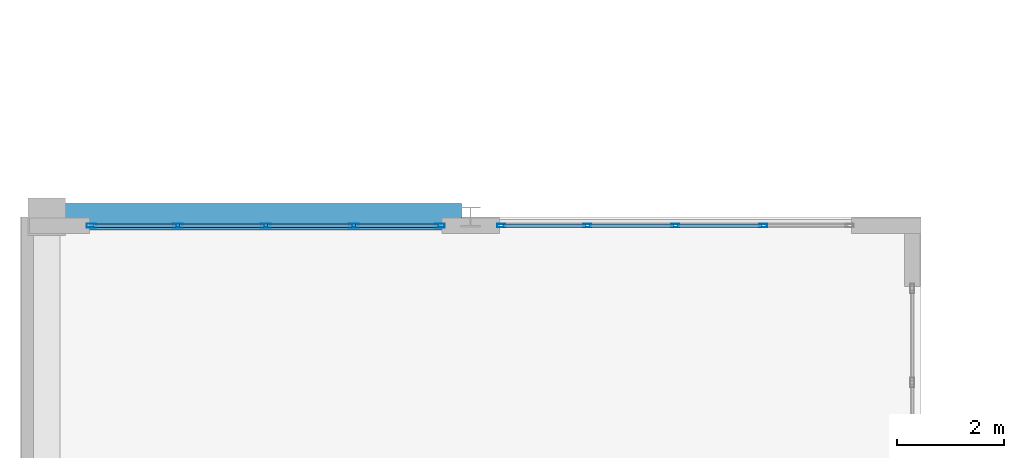
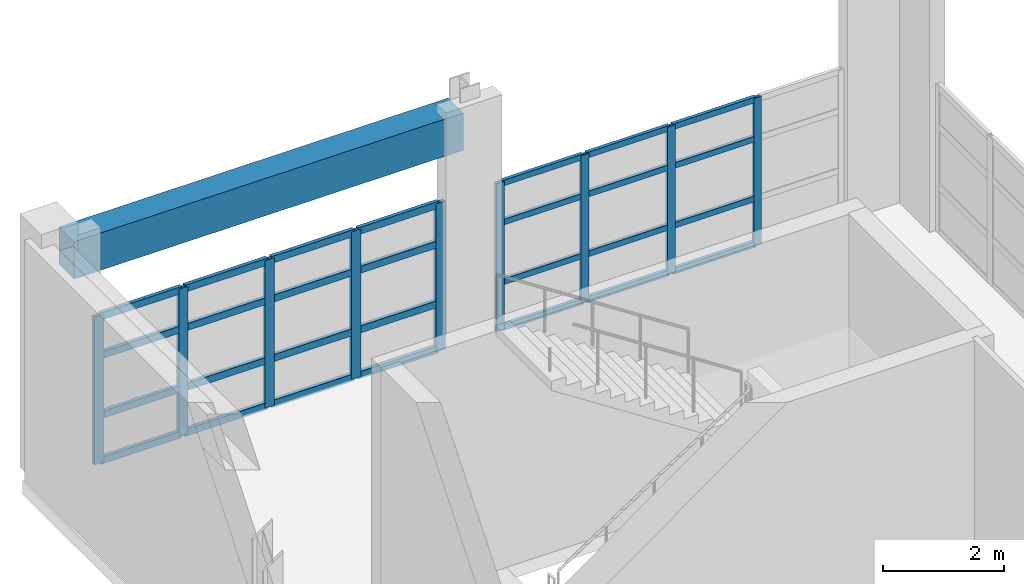
# One storey, part 24 of 103: 37 members, 1 beam, 2 elements without a shape of their own.
"""IFC4 building model written with IfcOpenShell, lengths in metres."""

from ifc_helpers import new_model, si_unit, direction, frame, origin, origin_2d, place, context, subcontext, project, spatial, rectangle, hollow_rectangle, extrude, material, layer, layer_set, material_profile, profile_set, type_object, element, aggregate, save


model = new_model("IFC4")

# Units and contexts
model_context = context("Model", 3, precision=1e-05, world=origin(), true_north=direction((0.0, 1.0)))
body_context = subcontext(model_context, "Body", "Model", "MODEL_VIEW")
ifc_project = project(units=[si_unit("LENGTHUNIT", "METRE"), si_unit("AREAUNIT", "SQUARE_METRE"), si_unit("VOLUMEUNIT", "CUBIC_METRE"), si_unit("PLANEANGLEUNIT", "RADIAN"), si_unit("MASSUNIT", "GRAM", prefix="KILO")], contexts=[model_context])

# Site, building, storey
site_placement = place(None, origin())
site = spatial("IfcSite", under=ifc_project, at=site_placement, CompositionType="ELEMENT")
building_placement = place(site_placement, origin())
building = spatial("IfcBuilding", under=site, at=building_placement, Name="Quendrovan Civic Courthouse", CompositionType="ELEMENT")
storey_placement = place(building_placement, frame((0.0, 0.0, 15.300048828125)))
storey = spatial("IfcBuildingStorey", under=building, at=storey_placement, Name="L04", CompositionType="ELEMENT", Elevation=15.300048828125)

# Beam
ifc_material_1 = material(Name="Concrete C40/50", Category="concrete")
ifc_material_profile_1 = material_profile(ifc_material_1, rectangle(XDim=0.5, YDim=0.75, at=origin_2d()), Name="RC-BM-500x750")
ifc_profile_set_1 = profile_set([ifc_material_profile_1], Name="Concrete C40/50")
beam_type = type_object("IfcBeamType", Name="BM-RC750", PredefinedType="SPANDREL", material=ifc_profile_set_1)
beam_placement = place(storey_placement, frame((0.830078125, 94.800048828125, 4.284912109375), z_axis=(1.0, 0.0, 0.0), x_axis=(0.0, 1.0, 0.0)))
element("IfcBeam", 1, at=beam_placement, inside=storey, type_object=beam_type, Name="L04 Girder X0914", PredefinedType="SPANDREL", context=body_context, shape_type="SweptSolid", body=[
    extrude(rectangle(XDim=0.5, YDim=0.75, at=origin_2d()), origin(), (0.0, 0.0, 1.0), 7.40283203125),
])

# Curtain wall, members
ifc_material_2 = material(Name="Bronze anodised aluminium and low-E glass", Category="aluminium")
ifc_layer = layer(ifc_material_2, 0.179931640625, Name="Bronze anodised aluminium and low-E glass")
ifc_layer_set = layer_set([ifc_layer], Name="Bronze anodised aluminium and low-E glass")
curtain_wall_type = type_object("IfcCurtainWallType", Name="CW-U66x30", PredefinedType="USERDEFINED", material=ifc_layer_set)
curtain_wall_1_placement = place(storey_placement, origin())
curtain_wall_1 = element("IfcCurtainWall", 2, at=curtain_wall_1_placement, inside=storey, type_object=curtain_wall_type, Name="L04 Unitised Hurricane Curtain Wall CW-144", ObjectType="UNITISED CURTAIN WALL", PredefinedType="USERDEFINED")
ifc_material_3 = material(Name="Bronze anodised aluminium", Category="aluminium")
ifc_material_profile_2 = material_profile(ifc_material_3, hollow_rectangle(XDim=0.070068359375, YDim=0.179931640625, WallThickness=0.00390625, at=origin_2d()), Name="CW-MULL-70x180")
ifc_profile_set_2 = profile_set([ifc_material_profile_2], Name="Bronze anodised aluminium")
member_type_1 = type_object("IfcMemberType", Name="CW-MULL-A", PredefinedType="MULLION", material=ifc_profile_set_2)
member_1_placement = place(storey_placement, frame((1.3349609375, 94.635009765625, 0.0), z_axis=(0.0, 0.0, 1.0), x_axis=(0.0, 1.0, 0.0)))
member_1 = element("IfcMember", 3, at=member_1_placement, type_object=member_type_1, Name="CW-144 mullion 1", PredefinedType="MULLION", context=body_context, shape_type="SweptSolid", body=[
    extrude(hollow_rectangle(XDim=0.070068359375, YDim=0.179931640625, WallThickness=0.00390625, at=origin_2d()), origin(), (0.0, 0.0, 1.0), 2.969970703125),
])
member_2_placement = place(storey_placement, frame((2.940673828125, 94.635009765625, 0.0), z_axis=(0.0, 0.0, 1.0), x_axis=(0.0, 1.0, 0.0)))
member_2 = element("IfcMember", 4, at=member_2_placement, type_object=member_type_1, Name="CW-144 mullion 2", PredefinedType="MULLION", context=body_context, shape_type="SweptSolid", body=[
    extrude(hollow_rectangle(XDim=0.070068359375, YDim=0.179931640625, WallThickness=0.00390625, at=origin_2d()), origin(), (0.0, 0.0, 1.0), 2.969970703125),
])
member_3_placement = place(storey_placement, frame((4.58154296875, 94.635009765625, 0.0), z_axis=(0.0, 0.0, 1.0), x_axis=(0.0, 1.0, 0.0)))
member_3 = element("IfcMember", 5, at=member_3_placement, type_object=member_type_1, Name="CW-144 mullion 3", PredefinedType="MULLION", context=body_context, shape_type="SweptSolid", body=[
    extrude(hollow_rectangle(XDim=0.070068359375, YDim=0.179931640625, WallThickness=0.00390625, at=origin_2d()), origin(), (0.0, 0.0, 1.0), 2.969970703125),
])
member_4_placement = place(storey_placement, frame((6.22216796875, 94.635009765625, 0.0), z_axis=(0.0, 0.0, 1.0), x_axis=(0.0, 1.0, 0.0)))
member_4 = element("IfcMember", 6, at=member_4_placement, type_object=member_type_1, Name="CW-144 mullion 4", PredefinedType="MULLION", context=body_context, shape_type="SweptSolid", body=[
    extrude(hollow_rectangle(XDim=0.070068359375, YDim=0.179931640625, WallThickness=0.00390625, at=origin_2d()), origin(), (0.0, 0.0, 1.0), 2.969970703125),
])
member_5_placement = place(storey_placement, frame((7.827880859375, 94.635009765625, 0.0), z_axis=(0.0, 0.0, 1.0), x_axis=(0.0, 1.0, 0.0)))
member_5 = element("IfcMember", 7, at=member_5_placement, type_object=member_type_1, Name="CW-144 mullion 5", PredefinedType="MULLION", context=body_context, shape_type="SweptSolid", body=[
    extrude(hollow_rectangle(XDim=0.070068359375, YDim=0.179931640625, WallThickness=0.00390625, at=origin_2d()), origin(), (0.0, 0.0, 1.0), 2.969970703125),
])

curtain_wall_2_placement = place(storey_placement, origin())
curtain_wall_2 = element("IfcCurtainWall", 8, at=curtain_wall_2_placement, inside=storey, type_object=curtain_wall_type, Name="L04 Unitised Hurricane Curtain Wall CW-145", ObjectType="UNITISED CURTAIN WALL", PredefinedType="USERDEFINED")
ifc_material_profile_3 = material_profile(ifc_material_3, hollow_rectangle(XDim=0.06494140625, YDim=0.14990234375, WallThickness=0.00390625, at=origin_2d()), Name="CW-MULL-65x150")
ifc_profile_set_3 = profile_set([ifc_material_profile_3], Name="Bronze anodised aluminium")
member_type_2 = type_object("IfcMemberType", Name="CW-MULL-B", PredefinedType="MULLION", material=ifc_profile_set_3)
member_6_placement = place(storey_placement, frame((8.969482421875, 94.635009765625, 0.0), z_axis=(0.0, 0.0, 1.0), x_axis=(0.0, 1.0, 0.0)))
member_6 = element("IfcMember", 9, at=member_6_placement, type_object=member_type_2, Name="CW-145 mullion 1", PredefinedType="MULLION", context=body_context, shape_type="SweptSolid", body=[
    extrude(hollow_rectangle(XDim=0.06494140625, YDim=0.14990234375, WallThickness=0.00390625, at=origin_2d()), origin(), (0.0, 0.0, 1.0), 2.969970703125),
])
member_7_placement = place(storey_placement, frame((10.57763671875, 94.635009765625, 0.0), z_axis=(0.0, 0.0, 1.0), x_axis=(0.0, 1.0, 0.0)))
member_7 = element("IfcMember", 10, at=member_7_placement, type_object=member_type_2, Name="CW-145 mullion 2", PredefinedType="MULLION", context=body_context, shape_type="SweptSolid", body=[
    extrude(hollow_rectangle(XDim=0.06494140625, YDim=0.14990234375, WallThickness=0.00390625, at=origin_2d()), origin(), (0.0, 0.0, 1.0), 2.969970703125),
])
member_8_placement = place(storey_placement, frame((12.218505859375, 94.635009765625, 0.0), z_axis=(0.0, 0.0, 1.0), x_axis=(0.0, 1.0, 0.0)))
member_8 = element("IfcMember", 11, at=member_8_placement, type_object=member_type_2, Name="CW-145 mullion 3", PredefinedType="MULLION", context=body_context, shape_type="SweptSolid", body=[
    extrude(hollow_rectangle(XDim=0.06494140625, YDim=0.14990234375, WallThickness=0.00390625, at=origin_2d()), origin(), (0.0, 0.0, 1.0), 2.969970703125),
])
member_9_placement = place(storey_placement, frame((13.859130859375, 94.635009765625, 0.0), z_axis=(0.0, 0.0, 1.0), x_axis=(0.0, 1.0, 0.0)))
member_9 = element("IfcMember", 12, at=member_9_placement, type_object=member_type_2, Name="CW-145 mullion 4", PredefinedType="MULLION", context=body_context, shape_type="SweptSolid", body=[
    extrude(hollow_rectangle(XDim=0.06494140625, YDim=0.14990234375, WallThickness=0.00390625, at=origin_2d()), origin(), (0.0, 0.0, 1.0), 2.969970703125),
])

# Member
ifc_material_profile_4 = material_profile(ifc_material_3, hollow_rectangle(XDim=0.070068359375, YDim=0.139892578125, WallThickness=0.00390625, at=origin_2d()), Name="CW-TRAN-70x140")
ifc_profile_set_4 = profile_set([ifc_material_profile_4], Name="Bronze anodised aluminium")
member_type_3 = type_object("IfcMemberType", Name="CW-TRAN-A", PredefinedType="USERDEFINED", material=ifc_profile_set_4)
member_10_placement = place(storey_placement, frame((1.3701171875, 94.635009765625, 0.034912109375), z_axis=(1.0, 0.0, 0.0), x_axis=(0.0, 1.0, 0.0)))
member_10 = element("IfcMember", 13, at=member_10_placement, type_object=member_type_3, Name="CW-144 transom 1.1", ObjectType="TRANSOM", PredefinedType="USERDEFINED", context=body_context, shape_type="SweptSolid", body=[
    extrude(hollow_rectangle(XDim=0.070068359375, YDim=0.139892578125, WallThickness=0.00390625, at=origin_2d()), origin(), (0.0, 0.0, 1.0), 1.53564453125),
])

member_11_placement = place(storey_placement, frame((1.3701171875, 94.635009765625, 0.949951171875), z_axis=(1.0, 0.0, 0.0), x_axis=(0.0, 1.0, 0.0)))
member_11 = element("IfcMember", 14, at=member_11_placement, type_object=member_type_3, Name="CW-144 transom 1.2", ObjectType="TRANSOM", PredefinedType="USERDEFINED", context=body_context, shape_type="SweptSolid", body=[
    extrude(hollow_rectangle(XDim=0.070068359375, YDim=0.139892578125, WallThickness=0.00390625, at=origin_2d()), origin(), (0.0, 0.0, 1.0), 1.53564453125),
])

member_12_placement = place(storey_placement, frame((1.3701171875, 94.635009765625, 2.14990234375), z_axis=(1.0, 0.0, 0.0), x_axis=(0.0, 1.0, 0.0)))
member_12 = element("IfcMember", 15, at=member_12_placement, type_object=member_type_3, Name="CW-144 transom 1.3", ObjectType="TRANSOM", PredefinedType="USERDEFINED", context=body_context, shape_type="SweptSolid", body=[
    extrude(hollow_rectangle(XDim=0.070068359375, YDim=0.139892578125, WallThickness=0.00390625, at=origin_2d()), origin(), (0.0, 0.0, 1.0), 1.53564453125),
])

member_13_placement = place(storey_placement, frame((1.3701171875, 94.635009765625, 2.93505859375), z_axis=(1.0, 0.0, 0.0), x_axis=(0.0, 1.0, 0.0)))
member_13 = element("IfcMember", 16, at=member_13_placement, type_object=member_type_3, Name="CW-144 transom 1.4", ObjectType="TRANSOM", PredefinedType="USERDEFINED", context=body_context, shape_type="SweptSolid", body=[
    extrude(hollow_rectangle(XDim=0.070068359375, YDim=0.139892578125, WallThickness=0.00390625, at=origin_2d()), origin(), (0.0, 0.0, 1.0), 1.53564453125),
])

member_14_placement = place(storey_placement, frame((2.975830078125, 94.635009765625, 0.034912109375), z_axis=(1.0, 0.0, 0.0), x_axis=(0.0, 1.0, 0.0)))
member_14 = element("IfcMember", 17, at=member_14_placement, type_object=member_type_3, Name="CW-144 transom 2.1", ObjectType="TRANSOM", PredefinedType="USERDEFINED", context=body_context, shape_type="SweptSolid", body=[
    extrude(hollow_rectangle(XDim=0.070068359375, YDim=0.139892578125, WallThickness=0.00390625, at=origin_2d()), origin(), (0.0, 0.0, 1.0), 1.570556640625),
])

member_15_placement = place(storey_placement, frame((2.975830078125, 94.635009765625, 0.949951171875), z_axis=(1.0, 0.0, 0.0), x_axis=(0.0, 1.0, 0.0)))
member_15 = element("IfcMember", 18, at=member_15_placement, type_object=member_type_3, Name="CW-144 transom 2.2", ObjectType="TRANSOM", PredefinedType="USERDEFINED", context=body_context, shape_type="SweptSolid", body=[
    extrude(hollow_rectangle(XDim=0.070068359375, YDim=0.139892578125, WallThickness=0.00390625, at=origin_2d()), origin(), (0.0, 0.0, 1.0), 1.570556640625),
])

member_16_placement = place(storey_placement, frame((2.975830078125, 94.635009765625, 2.14990234375), z_axis=(1.0, 0.0, 0.0), x_axis=(0.0, 1.0, 0.0)))
member_16 = element("IfcMember", 19, at=member_16_placement, type_object=member_type_3, Name="CW-144 transom 2.3", ObjectType="TRANSOM", PredefinedType="USERDEFINED", context=body_context, shape_type="SweptSolid", body=[
    extrude(hollow_rectangle(XDim=0.070068359375, YDim=0.139892578125, WallThickness=0.00390625, at=origin_2d()), origin(), (0.0, 0.0, 1.0), 1.570556640625),
])

member_17_placement = place(storey_placement, frame((2.975830078125, 94.635009765625, 2.93505859375), z_axis=(1.0, 0.0, 0.0), x_axis=(0.0, 1.0, 0.0)))
member_17 = element("IfcMember", 20, at=member_17_placement, type_object=member_type_3, Name="CW-144 transom 2.4", ObjectType="TRANSOM", PredefinedType="USERDEFINED", context=body_context, shape_type="SweptSolid", body=[
    extrude(hollow_rectangle(XDim=0.070068359375, YDim=0.139892578125, WallThickness=0.00390625, at=origin_2d()), origin(), (0.0, 0.0, 1.0), 1.570556640625),
])

member_18_placement = place(storey_placement, frame((4.616455078125, 94.635009765625, 0.034912109375), z_axis=(1.0, 0.0, 0.0), x_axis=(0.0, 1.0, 0.0)))
member_18 = element("IfcMember", 21, at=member_18_placement, type_object=member_type_3, Name="CW-144 transom 3.1", ObjectType="TRANSOM", PredefinedType="USERDEFINED", context=body_context, shape_type="SweptSolid", body=[
    extrude(hollow_rectangle(XDim=0.070068359375, YDim=0.139892578125, WallThickness=0.00390625, at=origin_2d()), origin(), (0.0, 0.0, 1.0), 1.57080078125),
])

member_19_placement = place(storey_placement, frame((4.616455078125, 94.635009765625, 0.949951171875), z_axis=(1.0, 0.0, 0.0), x_axis=(0.0, 1.0, 0.0)))
member_19 = element("IfcMember", 22, at=member_19_placement, type_object=member_type_3, Name="CW-144 transom 3.2", ObjectType="TRANSOM", PredefinedType="USERDEFINED", context=body_context, shape_type="SweptSolid", body=[
    extrude(hollow_rectangle(XDim=0.070068359375, YDim=0.139892578125, WallThickness=0.00390625, at=origin_2d()), origin(), (0.0, 0.0, 1.0), 1.57080078125),
])

member_20_placement = place(storey_placement, frame((4.616455078125, 94.635009765625, 2.14990234375), z_axis=(1.0, 0.0, 0.0), x_axis=(0.0, 1.0, 0.0)))
member_20 = element("IfcMember", 23, at=member_20_placement, type_object=member_type_3, Name="CW-144 transom 3.3", ObjectType="TRANSOM", PredefinedType="USERDEFINED", context=body_context, shape_type="SweptSolid", body=[
    extrude(hollow_rectangle(XDim=0.070068359375, YDim=0.139892578125, WallThickness=0.00390625, at=origin_2d()), origin(), (0.0, 0.0, 1.0), 1.57080078125),
])

member_21_placement = place(storey_placement, frame((4.616455078125, 94.635009765625, 2.93505859375), z_axis=(1.0, 0.0, 0.0), x_axis=(0.0, 1.0, 0.0)))
member_21 = element("IfcMember", 24, at=member_21_placement, type_object=member_type_3, Name="CW-144 transom 3.4", ObjectType="TRANSOM", PredefinedType="USERDEFINED", context=body_context, shape_type="SweptSolid", body=[
    extrude(hollow_rectangle(XDim=0.070068359375, YDim=0.139892578125, WallThickness=0.00390625, at=origin_2d()), origin(), (0.0, 0.0, 1.0), 1.57080078125),
])

member_22_placement = place(storey_placement, frame((6.25732421875, 94.635009765625, 0.034912109375), z_axis=(1.0, 0.0, 0.0), x_axis=(0.0, 1.0, 0.0)))
member_22 = element("IfcMember", 25, at=member_22_placement, type_object=member_type_3, Name="CW-144 transom 4.1", ObjectType="TRANSOM", PredefinedType="USERDEFINED", context=body_context, shape_type="SweptSolid", body=[
    extrude(hollow_rectangle(XDim=0.070068359375, YDim=0.139892578125, WallThickness=0.00390625, at=origin_2d()), origin(), (0.0, 0.0, 1.0), 1.53564453125),
])

member_23_placement = place(storey_placement, frame((6.25732421875, 94.635009765625, 0.949951171875), z_axis=(1.0, 0.0, 0.0), x_axis=(0.0, 1.0, 0.0)))
member_23 = element("IfcMember", 26, at=member_23_placement, type_object=member_type_3, Name="CW-144 transom 4.2", ObjectType="TRANSOM", PredefinedType="USERDEFINED", context=body_context, shape_type="SweptSolid", body=[
    extrude(hollow_rectangle(XDim=0.070068359375, YDim=0.139892578125, WallThickness=0.00390625, at=origin_2d()), origin(), (0.0, 0.0, 1.0), 1.53564453125),
])

member_24_placement = place(storey_placement, frame((6.25732421875, 94.635009765625, 2.14990234375), z_axis=(1.0, 0.0, 0.0), x_axis=(0.0, 1.0, 0.0)))
member_24 = element("IfcMember", 27, at=member_24_placement, type_object=member_type_3, Name="CW-144 transom 4.3", ObjectType="TRANSOM", PredefinedType="USERDEFINED", context=body_context, shape_type="SweptSolid", body=[
    extrude(hollow_rectangle(XDim=0.070068359375, YDim=0.139892578125, WallThickness=0.00390625, at=origin_2d()), origin(), (0.0, 0.0, 1.0), 1.53564453125),
])

member_25_placement = place(storey_placement, frame((6.25732421875, 94.635009765625, 2.93505859375), z_axis=(1.0, 0.0, 0.0), x_axis=(0.0, 1.0, 0.0)))
member_25 = element("IfcMember", 28, at=member_25_placement, type_object=member_type_3, Name="CW-144 transom 4.4", ObjectType="TRANSOM", PredefinedType="USERDEFINED", context=body_context, shape_type="SweptSolid", body=[
    extrude(hollow_rectangle(XDim=0.070068359375, YDim=0.139892578125, WallThickness=0.00390625, at=origin_2d()), origin(), (0.0, 0.0, 1.0), 1.53564453125),
])

aggregate(curtain_wall_1, [member_1, member_2, member_3, member_4, member_5, member_10, member_11, member_12, member_13, member_14, member_15, member_16, member_17, member_18, member_19, member_20, member_21, member_22, member_23, member_24, member_25])

ifc_material_profile_5 = material_profile(ifc_material_3, hollow_rectangle(XDim=0.06494140625, YDim=0.114990234375, WallThickness=0.00390625, at=origin_2d()), Name="CW-TRAN-65x115")
ifc_profile_set_5 = profile_set([ifc_material_profile_5], Name="Bronze anodised aluminium")
member_type_4 = type_object("IfcMemberType", Name="CW-TRAN-B", PredefinedType="USERDEFINED", material=ifc_profile_set_5)
member_26_placement = place(storey_placement, frame((9.001953125, 94.635009765625, 0.032470703125), z_axis=(1.0, 0.0, 0.0), x_axis=(0.0, 1.0, 0.0)))
member_26 = element("IfcMember", 29, at=member_26_placement, type_object=member_type_4, Name="CW-145 transom 1.1", ObjectType="TRANSOM", PredefinedType="USERDEFINED", context=body_context, shape_type="SweptSolid", body=[
    extrude(hollow_rectangle(XDim=0.06494140625, YDim=0.114990234375, WallThickness=0.00390625, at=origin_2d()), origin(), (0.0, 0.0, 1.0), 1.543212890625),
])

member_27_placement = place(storey_placement, frame((9.001953125, 94.635009765625, 0.949951171875), z_axis=(1.0, 0.0, 0.0), x_axis=(0.0, 1.0, 0.0)))
member_27 = element("IfcMember", 30, at=member_27_placement, type_object=member_type_4, Name="CW-145 transom 1.2", ObjectType="TRANSOM", PredefinedType="USERDEFINED", context=body_context, shape_type="SweptSolid", body=[
    extrude(hollow_rectangle(XDim=0.06494140625, YDim=0.114990234375, WallThickness=0.00390625, at=origin_2d()), origin(), (0.0, 0.0, 1.0), 1.543212890625),
])

member_28_placement = place(storey_placement, frame((9.001953125, 94.635009765625, 2.14990234375), z_axis=(1.0, 0.0, 0.0), x_axis=(0.0, 1.0, 0.0)))
member_28 = element("IfcMember", 31, at=member_28_placement, type_object=member_type_4, Name="CW-145 transom 1.3", ObjectType="TRANSOM", PredefinedType="USERDEFINED", context=body_context, shape_type="SweptSolid", body=[
    extrude(hollow_rectangle(XDim=0.06494140625, YDim=0.114990234375, WallThickness=0.00390625, at=origin_2d()), origin(), (0.0, 0.0, 1.0), 1.543212890625),
])

member_29_placement = place(storey_placement, frame((9.001953125, 94.635009765625, 2.9375), z_axis=(1.0, 0.0, 0.0), x_axis=(0.0, 1.0, 0.0)))
member_29 = element("IfcMember", 32, at=member_29_placement, type_object=member_type_4, Name="CW-145 transom 1.4", ObjectType="TRANSOM", PredefinedType="USERDEFINED", context=body_context, shape_type="SweptSolid", body=[
    extrude(hollow_rectangle(XDim=0.06494140625, YDim=0.114990234375, WallThickness=0.00390625, at=origin_2d()), origin(), (0.0, 0.0, 1.0), 1.543212890625),
])

member_30_placement = place(storey_placement, frame((10.6103515625, 94.635009765625, 0.032470703125), z_axis=(1.0, 0.0, 0.0), x_axis=(0.0, 1.0, 0.0)))
member_30 = element("IfcMember", 33, at=member_30_placement, type_object=member_type_4, Name="CW-145 transom 2.1", ObjectType="TRANSOM", PredefinedType="USERDEFINED", context=body_context, shape_type="SweptSolid", body=[
    extrude(hollow_rectangle(XDim=0.06494140625, YDim=0.114990234375, WallThickness=0.00390625, at=origin_2d()), origin(), (0.0, 0.0, 1.0), 1.57568359375),
])

member_31_placement = place(storey_placement, frame((10.6103515625, 94.635009765625, 0.949951171875), z_axis=(1.0, 0.0, 0.0), x_axis=(0.0, 1.0, 0.0)))
member_31 = element("IfcMember", 34, at=member_31_placement, type_object=member_type_4, Name="CW-145 transom 2.2", ObjectType="TRANSOM", PredefinedType="USERDEFINED", context=body_context, shape_type="SweptSolid", body=[
    extrude(hollow_rectangle(XDim=0.06494140625, YDim=0.114990234375, WallThickness=0.00390625, at=origin_2d()), origin(), (0.0, 0.0, 1.0), 1.57568359375),
])

member_32_placement = place(storey_placement, frame((10.6103515625, 94.635009765625, 2.14990234375), z_axis=(1.0, 0.0, 0.0), x_axis=(0.0, 1.0, 0.0)))
member_32 = element("IfcMember", 35, at=member_32_placement, type_object=member_type_4, Name="CW-145 transom 2.3", ObjectType="TRANSOM", PredefinedType="USERDEFINED", context=body_context, shape_type="SweptSolid", body=[
    extrude(hollow_rectangle(XDim=0.06494140625, YDim=0.114990234375, WallThickness=0.00390625, at=origin_2d()), origin(), (0.0, 0.0, 1.0), 1.57568359375),
])

member_33_placement = place(storey_placement, frame((10.6103515625, 94.635009765625, 2.9375), z_axis=(1.0, 0.0, 0.0), x_axis=(0.0, 1.0, 0.0)))
member_33 = element("IfcMember", 36, at=member_33_placement, type_object=member_type_4, Name="CW-145 transom 2.4", ObjectType="TRANSOM", PredefinedType="USERDEFINED", context=body_context, shape_type="SweptSolid", body=[
    extrude(hollow_rectangle(XDim=0.06494140625, YDim=0.114990234375, WallThickness=0.00390625, at=origin_2d()), origin(), (0.0, 0.0, 1.0), 1.57568359375),
])

member_34_placement = place(storey_placement, frame((12.2509765625, 94.635009765625, 0.032470703125), z_axis=(1.0, 0.0, 0.0), x_axis=(0.0, 1.0, 0.0)))
member_34 = element("IfcMember", 37, at=member_34_placement, type_object=member_type_4, Name="CW-145 transom 3.1", ObjectType="TRANSOM", PredefinedType="USERDEFINED", context=body_context, shape_type="SweptSolid", body=[
    extrude(hollow_rectangle(XDim=0.06494140625, YDim=0.114990234375, WallThickness=0.00390625, at=origin_2d()), origin(), (0.0, 0.0, 1.0), 1.57568359375),
])

member_35_placement = place(storey_placement, frame((12.2509765625, 94.635009765625, 0.949951171875), z_axis=(1.0, 0.0, 0.0), x_axis=(0.0, 1.0, 0.0)))
member_35 = element("IfcMember", 38, at=member_35_placement, type_object=member_type_4, Name="CW-145 transom 3.2", ObjectType="TRANSOM", PredefinedType="USERDEFINED", context=body_context, shape_type="SweptSolid", body=[
    extrude(hollow_rectangle(XDim=0.06494140625, YDim=0.114990234375, WallThickness=0.00390625, at=origin_2d()), origin(), (0.0, 0.0, 1.0), 1.57568359375),
])

member_36_placement = place(storey_placement, frame((12.2509765625, 94.635009765625, 2.14990234375), z_axis=(1.0, 0.0, 0.0), x_axis=(0.0, 1.0, 0.0)))
member_36 = element("IfcMember", 39, at=member_36_placement, type_object=member_type_4, Name="CW-145 transom 3.3", ObjectType="TRANSOM", PredefinedType="USERDEFINED", context=body_context, shape_type="SweptSolid", body=[
    extrude(hollow_rectangle(XDim=0.06494140625, YDim=0.114990234375, WallThickness=0.00390625, at=origin_2d()), origin(), (0.0, 0.0, 1.0), 1.57568359375),
])

member_37_placement = place(storey_placement, frame((12.2509765625, 94.635009765625, 2.9375), z_axis=(1.0, 0.0, 0.0), x_axis=(0.0, 1.0, 0.0)))
member_37 = element("IfcMember", 40, at=member_37_placement, type_object=member_type_4, Name="CW-145 transom 3.4", ObjectType="TRANSOM", PredefinedType="USERDEFINED", context=body_context, shape_type="SweptSolid", body=[
    extrude(hollow_rectangle(XDim=0.06494140625, YDim=0.114990234375, WallThickness=0.00390625, at=origin_2d()), origin(), (0.0, 0.0, 1.0), 1.57568359375),
])

aggregate(curtain_wall_2, [member_6, member_7, member_8, member_9, member_26, member_27, member_28, member_29, member_30, member_31, member_32, member_33, member_34, member_35, member_36, member_37])

save(model, "model.ifc")
